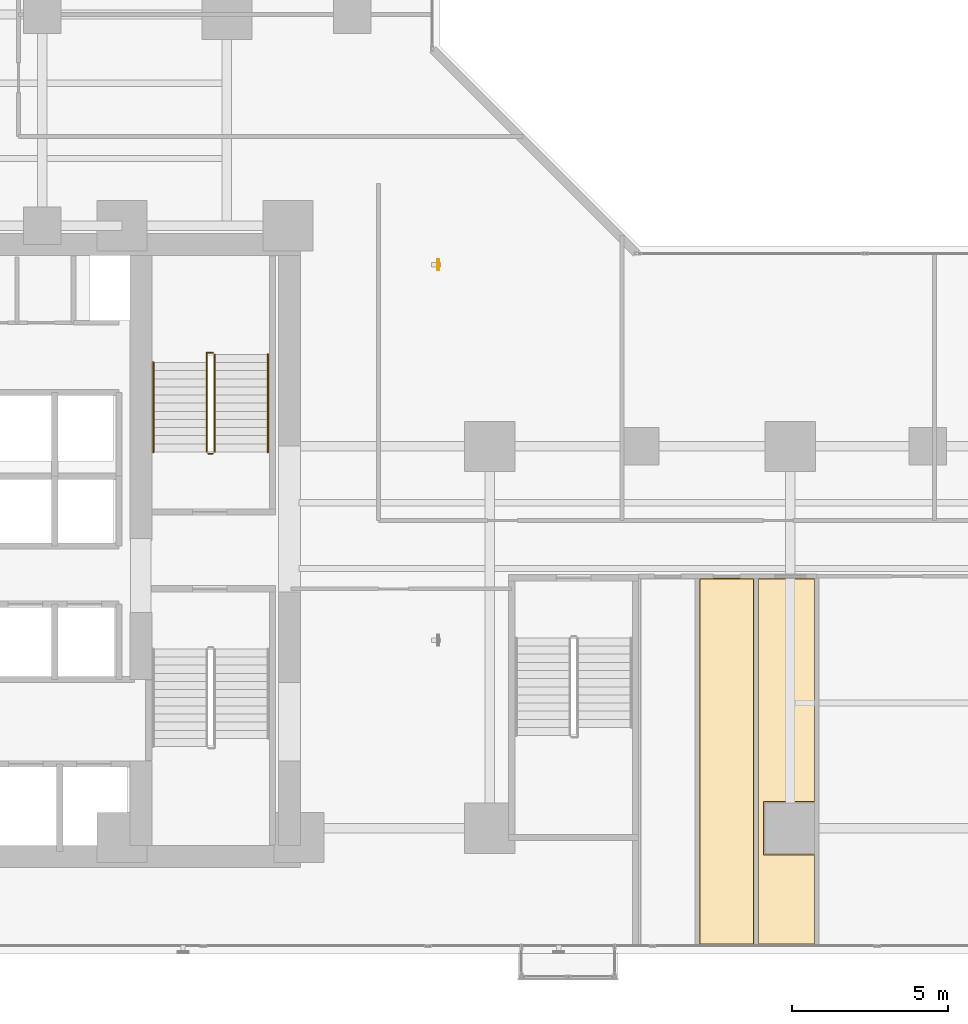
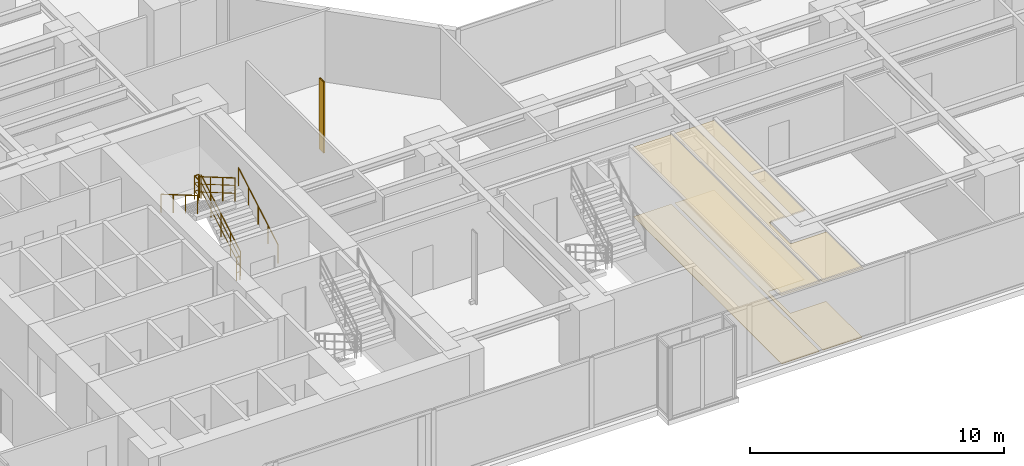
# One storey, part 27 of 28: 6 railings, 4 coverings, 1 shading device.
"""IFC4 building model written with IfcOpenShell, lengths in metres."""

from ifc_helpers import new_model, si_unit, direction, frame, origin, origin_2d, place, context, subcontext, project, spatial, polyline, hollow_rectangle, circle, outline, extrude, material, layer, layer_set, material_profile, profile_set, type_object, element, save


model = new_model("IFC4")

# Units and contexts
model_context = context("Model", 3, precision=1e-05, world=origin(), true_north=direction((0.0, 1.0)))
body_context = subcontext(model_context, "Body", "Model", "MODEL_VIEW")
ifc_project = project(units=[si_unit("LENGTHUNIT", "METRE"), si_unit("AREAUNIT", "SQUARE_METRE"), si_unit("VOLUMEUNIT", "CUBIC_METRE"), si_unit("PLANEANGLEUNIT", "RADIAN"), si_unit("MASSUNIT", "GRAM", prefix="KILO")], contexts=[model_context])

# Site, building, storey
site_placement = place(None, origin())
site = spatial("IfcSite", under=ifc_project, at=site_placement, CompositionType="ELEMENT")
building_placement = place(site_placement, origin())
building = spatial("IfcBuilding", under=site, at=building_placement, Name="Kolvaren Waterfront Exchange", CompositionType="ELEMENT")
storey_placement = place(building_placement, frame((0.0, 0.0, 79.0)))
storey = spatial("IfcBuildingStorey", under=building, at=storey_placement, Name="L20", CompositionType="ELEMENT", Elevation=79.0)

# Coverings
ifc_material_1 = material(Name="Mineral fibre acoustic ceiling tile")
ifc_layer_1 = layer(ifc_material_1, 0.02490234375, Name="Mineral fibre acoustic ceiling tile")
ifc_layer_set_1 = layer_set([ifc_layer_1], Name="Mineral fibre acoustic ceiling tile")
covering_type_1 = type_object("IfcCoveringType", Name="ARC-CEIL-ACOUSTIC-25", PredefinedType="CEILING", material=ifc_layer_set_1)
covering_1_placement = place(storey_placement, frame((0.0, 0.0, 3.304931640625)))
element("IfcCovering", 1, at=covering_1_placement, inside=storey, type_object=covering_type_1, Name="L20 acoustic suspended ceiling 2", PredefinedType="CEILING", context=body_context, shape_type="SweptSolid", body=[
    extrude(outline(polyline([(35.6650390625, 1.465087890625), (35.6650390625, 13.195068359375), (33.875, 13.195068359375), (33.875, 1.465087890625), (35.6650390625, 1.465087890625)])), origin(), (0.0, 0.0, 1.0), 0.025146484375),
])
covering_2_placement = place(storey_placement, frame((0.0, 0.0, 3.304931640625)))
element("IfcCovering", 2, at=covering_2_placement, inside=storey, type_object=covering_type_1, Name="L20 acoustic suspended ceiling 3", PredefinedType="CEILING", context=body_context, shape_type="SweptSolid", body=[
    extrude(outline(polyline([(37.60498046875, 4.360107421875), (35.9599609375, 4.360107421875), (35.9599609375, 6.0400390625), (37.60498046875, 6.0400390625), (37.60498046875, 13.195068359375), (35.7548828125, 13.195068359375), (35.7548828125, 1.465087890625), (37.60498046875, 1.465087890625), (37.60498046875, 4.360107421875)])), origin(), (0.0, 0.0, 1.0), 0.025146484375),
])

# Shading device
ifc_material_2 = material(Name="Anodised bronze aluminium 6063-T6", Category="aluminium")
ifc_material_profile = material_profile(ifc_material_2, hollow_rectangle(XDim=0.06005859375, YDim=0.35009765625, WallThickness=0.0048828125, at=origin_2d()), Name="BRZ-FIN-350x60x5")
ifc_profile_set = profile_set([ifc_material_profile], Name="Anodised bronze aluminium 6063-T6")
shading_device_type = type_object("IfcShadingDeviceType", Name="ARC-FIN-350", PredefinedType="USERDEFINED", material=ifc_profile_set)
shading_device_placement = place(storey_placement, frame((25.56005859375, 23.199951171875, 0.0), z_axis=(0.0, 0.0, 1.0), x_axis=(1.0, 0.0, 0.0)))
element("IfcShadingDevice", 3, at=shading_device_placement, inside=storey, type_object=shading_device_type, Name="L20 anodised bronze solar shading fin FIN-L20-E2", ObjectType="SOLAR FIN", PredefinedType="USERDEFINED", context=body_context, shape_type="SweptSolid", body=[
    extrude(hollow_rectangle(XDim=0.06005859375, YDim=0.35009765625, WallThickness=0.0048828125, at=origin_2d()), origin(), (0.0, 0.0, 1.0), 3.419921875),
])

# Coverings
ifc_material_3 = material(Name="Slip-resistant porcelain tile")
ifc_layer_2 = layer(ifc_material_3, 0.014892578125, Name="Slip-resistant porcelain tile")
ifc_layer_set_2 = layer_set([ifc_layer_2], Name="Slip-resistant porcelain tile")
covering_type_2 = type_object("IfcCoveringType", Name="ARC-FLR-PORC-15", PredefinedType="FLOORING", material=ifc_layer_set_2)
covering_3_placement = place(storey_placement, origin())
element("IfcCovering", 4, at=covering_3_placement, inside=storey, type_object=covering_type_2, Name="L20 floor finish 2", PredefinedType="FLOORING", context=body_context, shape_type="SweptSolid", body=[
    extrude(outline(polyline([(33.909912109375, 13.159912109375), (33.909912109375, 1.5), (35.6298828125, 1.5), (35.6298828125, 13.159912109375), (33.909912109375, 13.159912109375)])), origin(), (0.0, 0.0, 1.0), 0.014892578125),
])
covering_4_placement = place(storey_placement, origin())
element("IfcCovering", 5, at=covering_4_placement, inside=storey, type_object=covering_type_2, Name="L20 floor finish 3", PredefinedType="FLOORING", context=body_context, shape_type="SweptSolid", body=[
    extrude(outline(polyline([(35.7900390625, 13.159912109375), (35.7900390625, 1.5), (37.570068359375, 1.5), (37.570068359375, 4.340087890625), (35.93994140625, 4.340087890625), (35.93994140625, 6.06005859375), (37.570068359375, 6.06005859375), (37.570068359375, 13.159912109375), (35.7900390625, 13.159912109375)])), origin(), (0.0, 0.0, 1.0), 0.014892578125),
])

# Railings
ifc_material_4 = material(Name="Stainless steel 316", Category="steel")
railing_type_1 = type_object("IfcRailingType", Name="ARC-GUARD-STAIR", PredefinedType="GUARDRAIL", material=ifc_material_4)
railing_1_placement = place(storey_placement, frame((18.409912109375, 17.219970703125, 0.152099609375)))
element("IfcRailing", 6, at=railing_1_placement, inside=storey, type_object=railing_type_1, Name="L20 ST2 stair guard 1", PredefinedType="GUARDRAIL", context=body_context, shape_type="SweptSolid", body=[
    extrude(circle(Radius=0.02392578125, at=origin_2d()), frame((0.0, 0.0, 1.1259765625), z_axis=(0.0, 0.86330811405, 0.504677223793), x_axis=(-1.0, 0.0, 0.0)), (0.0, 0.0, 1.0), 3.6142578125),
    extrude(circle(Radius=0.01611328125, at=origin_2d()), frame((0.0, 0.0, 0.390869140625), z_axis=(0.0, 0.86330811405, 0.504677223793), x_axis=(-1.0, 0.0, 0.0)), (0.0, 0.0, 1.0), 3.6142578125),
    extrude(circle(Radius=0.01611328125, at=origin_2d()), frame((0.0, 0.0, 0.7705078125), z_axis=(0.0, 0.86330811405, 0.504677223793), x_axis=(-1.0, 0.0, 0.0)), (0.0, 0.0, 1.0), 3.6142578125),
    extrude(circle(Radius=0.02099609375, at=origin_2d()), origin(), (0.0, 0.0, 1.0), 1.101806640625),
    extrude(circle(Radius=0.02099609375, at=origin_2d()), frame((0.0, 0.780029296875, 0.4560546875)), (0.0, 0.0, 1.0), 1.101806640625),
    extrude(circle(Radius=0.02099609375, at=origin_2d()), frame((0.0, 1.56005859375, 0.912109375)), (0.0, 0.0, 1.0), 1.101806640625),
    extrude(circle(Radius=0.02099609375, at=origin_2d()), frame((0.0, 2.340087890625, 1.367919921875)), (0.0, 0.0, 1.0), 1.101806640625),
    extrude(circle(Radius=0.02099609375, at=origin_2d()), frame((0.0, 3.1201171875, 1.823974609375)), (0.0, 0.0, 1.0), 1.101806640625),
])
railing_2_placement = place(storey_placement, frame((18.360107421875, 20.389892578125, 1.97607421875)))
element("IfcRailing", 7, at=railing_2_placement, inside=storey, type_object=railing_type_1, Name="L20 ST2 stair guard 2", PredefinedType="GUARDRAIL", context=body_context, shape_type="SweptSolid", body=[
    extrude(circle(Radius=0.02392578125, at=origin_2d()), frame((0.0, 0.0, 1.1259765625), z_axis=(-1.0, 0.0, 0.0), x_axis=(0.0, -1.0, 0.0)), (0.0, 0.0, 1.0), 0.210205078125),
    extrude(circle(Radius=0.01611328125, at=origin_2d()), frame((0.0, 0.0, 0.390869140625), z_axis=(-1.0, 0.0, 0.0), x_axis=(0.0, -1.0, 0.0)), (0.0, 0.0, 1.0), 0.210205078125),
    extrude(circle(Radius=0.01611328125, at=origin_2d()), frame((0.0, 0.0, 0.7705078125), z_axis=(-1.0, 0.0, 0.0), x_axis=(0.0, -1.0, 0.0)), (0.0, 0.0, 1.0), 0.210205078125),
    extrude(circle(Radius=0.02392578125, at=origin_2d()), frame((-0.210205078125, 0.0, 1.1259765625), z_axis=(0.0, -1.0, 0.0), x_axis=(1.0, 0.0, 0.0)), (0.0, 0.0, 1.0), 0.309814453125),
    extrude(circle(Radius=0.01611328125, at=origin_2d()), frame((-0.210205078125, 0.0, 0.390869140625), z_axis=(0.0, -1.0, 0.0), x_axis=(1.0, 0.0, 0.0)), (0.0, 0.0, 1.0), 0.309814453125),
    extrude(circle(Radius=0.01611328125, at=origin_2d()), frame((-0.210205078125, 0.0, 0.7705078125), z_axis=(0.0, -1.0, 0.0), x_axis=(1.0, 0.0, 0.0)), (0.0, 0.0, 1.0), 0.309814453125),
    extrude(circle(Radius=0.02099609375, at=origin_2d()), origin(), (0.0, 0.0, 1.0), 1.101806640625),
    extrude(circle(Radius=0.02099609375, at=origin_2d()), frame((-0.210205078125, 0.0, 0.0)), (0.0, 0.0, 1.0), 1.101806640625),
    extrude(circle(Radius=0.02099609375, at=origin_2d()), frame((-0.210205078125, -0.309814453125, 0.0)), (0.0, 0.0, 1.0), 1.101806640625),
])
railing_3_placement = place(storey_placement, frame((18.14990234375, 20.080078125, 2.1279296875)))
element("IfcRailing", 8, at=railing_3_placement, inside=storey, type_object=railing_type_1, Name="L20 ST2 stair guard 3", PredefinedType="GUARDRAIL", context=body_context, shape_type="SweptSolid", body=[
    extrude(circle(Radius=0.02392578125, at=origin_2d()), frame((0.0, 0.0, 1.1259765625), z_axis=(0.0, -0.863289384635, 0.504709261235), x_axis=(1.0, 0.0, 0.0)), (0.0, 0.0, 1.0), 3.31298828125),
    extrude(circle(Radius=0.01611328125, at=origin_2d()), frame((0.0, 0.0, 0.390869140625), z_axis=(0.0, -0.863289384635, 0.504709261235), x_axis=(1.0, 0.0, 0.0)), (0.0, 0.0, 1.0), 3.31298828125),
    extrude(circle(Radius=0.01611328125, at=origin_2d()), frame((0.0, 0.0, 0.7705078125), z_axis=(0.0, -0.863289384635, 0.504709261235), x_axis=(1.0, 0.0, 0.0)), (0.0, 0.0, 1.0), 3.31298828125),
    extrude(circle(Radius=0.02099609375, at=origin_2d()), origin(), (0.0, 0.0, 1.0), 1.101806640625),
    extrude(circle(Radius=0.02099609375, at=origin_2d()), frame((0.0, -0.953369140625, 0.557373046875)), (0.0, 0.0, 1.0), 1.101806640625),
    extrude(circle(Radius=0.02099609375, at=origin_2d()), frame((0.0, -1.90673828125, 1.11474609375)), (0.0, 0.0, 1.0), 1.101806640625),
    extrude(circle(Radius=0.02099609375, at=origin_2d()), frame((0.0, -2.860107421875, 1.672119140625)), (0.0, 0.0, 1.0), 1.101806640625),
])
railing_4_placement = place(storey_placement, frame((18.360107421875, 17.169921875, 0.0)))
element("IfcRailing", 9, at=railing_4_placement, inside=storey, type_object=railing_type_1, Name="L20 ST2 stair guard 4", PredefinedType="GUARDRAIL", context=body_context, shape_type="SweptSolid", body=[
    extrude(circle(Radius=0.02392578125, at=origin_2d()), frame((0.0, 0.0, 1.1259765625), z_axis=(-1.0, 0.0, 0.0), x_axis=(0.0, -1.0, 0.0)), (0.0, 0.0, 1.0), 0.16015625),
    extrude(circle(Radius=0.01611328125, at=origin_2d()), frame((0.0, 0.0, 0.390869140625), z_axis=(-1.0, 0.0, 0.0), x_axis=(0.0, -1.0, 0.0)), (0.0, 0.0, 1.0), 0.16015625),
    extrude(circle(Radius=0.01611328125, at=origin_2d()), frame((0.0, 0.0, 0.7705078125), z_axis=(-1.0, 0.0, 0.0), x_axis=(0.0, -1.0, 0.0)), (0.0, 0.0, 1.0), 0.16015625),
    extrude(circle(Radius=0.02099609375, at=origin_2d()), origin(), (0.0, 0.0, 1.0), 1.101806640625),
    extrude(circle(Radius=0.02099609375, at=origin_2d()), frame((-0.16015625, 0.0, 0.0)), (0.0, 0.0, 1.0), 1.101806640625),
])
railing_type_2 = type_object("IfcRailingType", Name="ARC-HANDRAIL-900", PredefinedType="HANDRAIL", material=ifc_material_4)
railing_5_placement = place(storey_placement, frame((20.110107421875, 17.219970703125, 0.152099609375)))
element("IfcRailing", 10, at=railing_5_placement, inside=storey, type_object=railing_type_2, Name="L20 ST2 stair handrail 1", PredefinedType="HANDRAIL", context=body_context, shape_type="SweptSolid", body=[
    extrude(circle(Radius=0.02392578125, at=origin_2d()), frame((0.0, 0.0, 0.8759765625), z_axis=(0.0, 0.86330811405, 0.504677223793), x_axis=(-1.0, 0.0, 0.0)), (0.0, 0.0, 1.0), 3.6142578125),
    extrude(circle(Radius=0.02099609375, at=origin_2d()), origin(), (0.0, 0.0, 1.0), 0.851806640625),
    extrude(circle(Radius=0.02099609375, at=origin_2d()), frame((0.0, 0.780029296875, 0.4560546875)), (0.0, 0.0, 1.0), 0.851806640625),
    extrude(circle(Radius=0.02099609375, at=origin_2d()), frame((0.0, 1.56005859375, 0.912109375)), (0.0, 0.0, 1.0), 0.851806640625),
    extrude(circle(Radius=0.02099609375, at=origin_2d()), frame((0.0, 2.340087890625, 1.367919921875)), (0.0, 0.0, 1.0), 0.851806640625),
    extrude(circle(Radius=0.02099609375, at=origin_2d()), frame((0.0, 3.1201171875, 1.823974609375)), (0.0, 0.0, 1.0), 0.851806640625),
])
railing_6_placement = place(storey_placement, frame((16.449951171875, 20.080078125, 2.1279296875)))
element("IfcRailing", 11, at=railing_6_placement, inside=storey, type_object=railing_type_2, Name="L20 ST2 stair handrail 2", PredefinedType="HANDRAIL", context=body_context, shape_type="SweptSolid", body=[
    extrude(circle(Radius=0.02392578125, at=origin_2d()), frame((0.0, 0.0, 0.8759765625), z_axis=(0.0, -0.863289384635, 0.504709261235), x_axis=(1.0, 0.0, 0.0)), (0.0, 0.0, 1.0), 3.31298828125),
    extrude(circle(Radius=0.02099609375, at=origin_2d()), origin(), (0.0, 0.0, 1.0), 0.851806640625),
    extrude(circle(Radius=0.02099609375, at=origin_2d()), frame((0.0, -0.953369140625, 0.557373046875)), (0.0, 0.0, 1.0), 0.851806640625),
    extrude(circle(Radius=0.02099609375, at=origin_2d()), frame((0.0, -1.90673828125, 1.11474609375)), (0.0, 0.0, 1.0), 0.851806640625),
    extrude(circle(Radius=0.02099609375, at=origin_2d()), frame((0.0, -2.860107421875, 1.672119140625)), (0.0, 0.0, 1.0), 0.851806640625),
])

save(model, "model.ifc")
